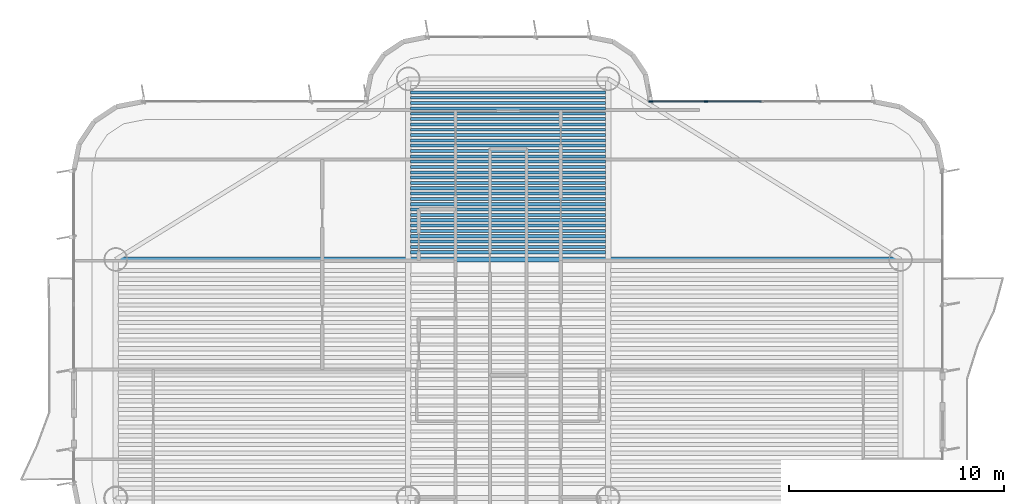
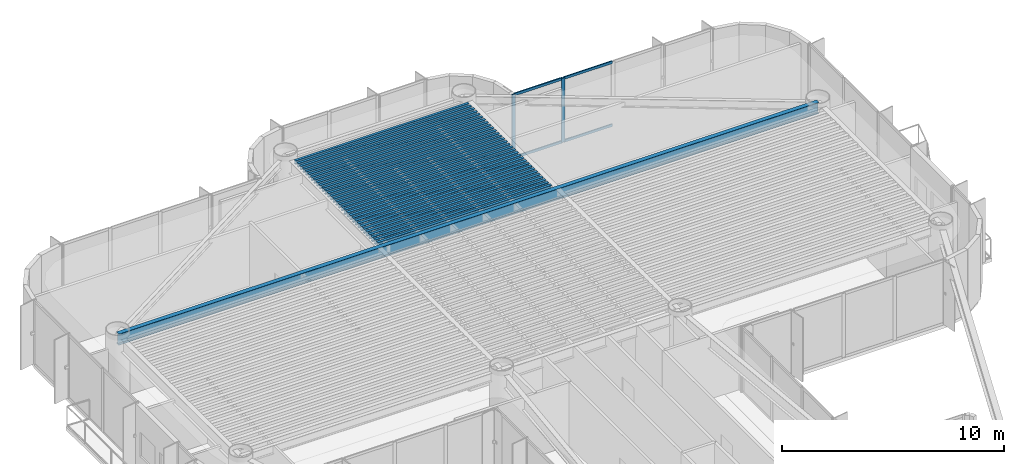
# One storey, part 6 of 14: 32 beams, 6 members, 1 element without a shape of its own.
"""IFC4 building model written with IfcOpenShell, lengths in metres."""

from ifc_helpers import new_model, si_unit, direction, frame, origin, origin_2d, place, context, subcontext, project, spatial, rectangle, i_section, extrude, source, transform, mapped, material, layer, layer_set, material_profile, profile_set, type_object, element, aggregate, save


model = new_model("IFC4")

# Units and contexts
model_context = context("Model", 3, precision=1e-05, world=origin(), true_north=direction((0.0, 1.0)))
body_context = subcontext(model_context, "Body", "Model", "MODEL_VIEW")
ifc_project = project(units=[si_unit("LENGTHUNIT", "METRE"), si_unit("AREAUNIT", "SQUARE_METRE"), si_unit("VOLUMEUNIT", "CUBIC_METRE"), si_unit("PLANEANGLEUNIT", "RADIAN"), si_unit("MASSUNIT", "GRAM", prefix="KILO")], contexts=[model_context])

# Site, building, storey
site_placement = place(None, origin())
site = spatial("IfcSite", under=ifc_project, at=site_placement, CompositionType="ELEMENT")
building_placement = place(site_placement, origin())
building = spatial("IfcBuilding", under=site, at=building_placement, Name="Brelvock Crest Care Tower", CompositionType="ELEMENT")
storey_placement = place(building_placement, frame((0.0, 0.0, 205.56005859375)))
storey = spatial("IfcBuildingStorey", under=building, at=storey_placement, Name="L52", CompositionType="ELEMENT", Elevation=205.56005859375)

# Beams
ifc_material_1 = material(Name="Steel Grade 350", Category="steel")
ifc_material_profile_1 = material_profile(ifc_material_1, i_section(OverallWidth=0.14599609375, OverallDepth=0.256103515625, WebThickness=0.00634765625, FlangeThickness=0.010986328125, FilletRadius=0.0087890625, at=origin_2d()), Name="250UB37.3")
ifc_profile_set_1 = profile_set([ifc_material_profile_1], Name="Steel Grade 350")
beam_type_1 = type_object("IfcBeamType", Name="BM-J3", PredefinedType="JOIST", material=ifc_profile_set_1)
shared_shape_1 = source(origin(), body_context, "Body", "SweptSolid", [
    extrude(i_section(OverallWidth=0.14599609375, OverallDepth=0.256103515625, WebThickness=0.00634765625, FlangeThickness=0.010986328125, FilletRadius=0.0087890625, at=origin_2d()), origin(), (0.0, 0.0, 1.0), 9.06982421875),
])
for number, where, z_axis, x_axis, name in (
    (1, (31.465087890625, 46.385986328125, 3.40185546875), (1.0, 0.0, 0.0), (0.0, 1.0, 0.0), "BM-JN-L52-1"),
    (2, (31.465087890625, 46.6337890625, 3.40185546875), (1.0, 0.0, 0.0), (0.0, 1.0, 0.0), "BM-JN-L52-2"),
    (3, (31.465087890625, 46.881591796875, 3.40185546875), (1.0, 0.0, 0.0), (0.0, 1.0, 0.0), "BM-JN-L52-3"),
    (4, (31.465087890625, 47.12939453125, 3.40185546875), (1.0, 0.0, 0.0), (0.0, 1.0, 0.0), "BM-JN-L52-4"),
    (5, (31.465087890625, 47.377197265625, 3.40185546875), (1.0, 0.0, 0.0), (0.0, 1.0, 0.0), "BM-JN-L52-5"),
    (6, (31.465087890625, 47.625, 3.40185546875), (1.0, 0.0, 0.0), (0.0, 1.0, 0.0), "BM-JN-L52-6"),
    (7, (31.465087890625, 47.872802734375, 3.40185546875), (1.0, 0.0, 0.0), (0.0, 1.0, 0.0), "BM-JN-L52-7"),
    (8, (31.465087890625, 48.12060546875, 3.40185546875), (1.0, 0.0, 0.0), (0.0, 1.0, 0.0), "BM-JN-L52-8"),
    (9, (31.465087890625, 48.368408203125, 3.40185546875), (1.0, 0.0, 0.0), (0.0, 1.0, 0.0), "BM-JN-L52-9"),
    (10, (31.465087890625, 48.6162109375, 3.40185546875), (1.0, 0.0, 0.0), (0.0, 1.0, 0.0), "BM-JN-L52-10"),
    (11, (31.465087890625, 48.864013671875, 3.40185546875), (1.0, 0.0, 0.0), (0.0, 1.0, 0.0), "BM-JN-L52-11"),
    (12, (31.465087890625, 49.11181640625, 3.40185546875), (1.0, 0.0, 0.0), (0.0, 1.0, 0.0), "BM-JN-L52-12"),
    (13, (31.465087890625, 49.359619140625, 3.40185546875), (1.0, 0.0, 0.0), (0.0, 1.0, 0.0), "BM-JN-L52-13"),
):
    element("IfcBeam", number, at=place(storey_placement, frame(where, z_axis=z_axis, x_axis=x_axis)), inside=storey, type_object=beam_type_1, Name=name, PredefinedType="JOIST", context=body_context, shape_type="MappedRepresentation", body=[
        mapped(shared_shape_1, transform((0.0, 0.0, 0.0), x_axis=(1.0, 0.0, 0.0), y_axis=(0.0, 1.0, 0.0), z_axis=(0.0, 0.0, 1.0), scale=1.0)),
    ])
ifc_material_profile_2 = material_profile(ifc_material_1, i_section(OverallWidth=0.134033203125, OverallDepth=0.20703125, WebThickness=0.00634765625, FlangeThickness=0.009521484375, FilletRadius=0.0087890625, at=origin_2d()), Name="200UB29.8")
ifc_profile_set_2 = profile_set([ifc_material_profile_2], Name="Steel Grade 350")
beam_type_2 = type_object("IfcBeamType", Name="BM-J4", PredefinedType="JOIST", material=ifc_profile_set_2)
shared_shape_2 = source(origin(), body_context, "Body", "SweptSolid", [
    extrude(i_section(OverallWidth=0.134033203125, OverallDepth=0.20703125, WebThickness=0.00634765625, FlangeThickness=0.009521484375, FilletRadius=0.0087890625, at=origin_2d()), origin(), (0.0, 0.0, 1.0), 9.06982421875),
])
for number, where, z_axis, x_axis, name in (
    (14, (31.465087890625, 49.607421875, 3.426513671875), (1.0, 0.0, 0.0), (0.0, 1.0, 0.0), "BM-JN-L52-14"),
    (15, (31.465087890625, 49.855224609375, 3.426513671875), (1.0, 0.0, 0.0), (0.0, 1.0, 0.0), "BM-JN-L52-15"),
    (16, (31.465087890625, 50.10302734375, 3.426513671875), (1.0, 0.0, 0.0), (0.0, 1.0, 0.0), "BM-JN-L52-16"),
    (17, (31.465087890625, 50.350830078125, 3.426513671875), (1.0, 0.0, 0.0), (0.0, 1.0, 0.0), "BM-JN-L52-17"),
    (18, (31.465087890625, 50.5986328125, 3.426513671875), (1.0, 0.0, 0.0), (0.0, 1.0, 0.0), "BM-JN-L52-18"),
    (19, (31.465087890625, 50.846435546875, 3.426513671875), (1.0, 0.0, 0.0), (0.0, 1.0, 0.0), "BM-JN-L52-19"),
    (20, (31.465087890625, 51.09423828125, 3.426513671875), (1.0, 0.0, 0.0), (0.0, 1.0, 0.0), "BM-JN-L52-20"),
    (21, (31.465087890625, 51.342041015625, 3.426513671875), (1.0, 0.0, 0.0), (0.0, 1.0, 0.0), "BM-JN-L52-21"),
    (22, (31.465087890625, 51.58984375, 3.426513671875), (1.0, 0.0, 0.0), (0.0, 1.0, 0.0), "BM-JN-L52-22"),
    (23, (31.465087890625, 51.837646484375, 3.426513671875), (1.0, 0.0, 0.0), (0.0, 1.0, 0.0), "BM-JN-L52-23"),
    (24, (31.465087890625, 52.08544921875, 3.426513671875), (1.0, 0.0, 0.0), (0.0, 1.0, 0.0), "BM-JN-L52-24"),
    (25, (31.465087890625, 52.333251953125, 3.426513671875), (1.0, 0.0, 0.0), (0.0, 1.0, 0.0), "BM-JN-L52-25"),
    (26, (31.465087890625, 52.5810546875, 3.426513671875), (1.0, 0.0, 0.0), (0.0, 1.0, 0.0), "BM-JN-L52-26"),
    (27, (31.465087890625, 52.828857421875, 3.426513671875), (1.0, 0.0, 0.0), (0.0, 1.0, 0.0), "BM-JN-L52-27"),
    (28, (31.465087890625, 53.07666015625, 3.426513671875), (1.0, 0.0, 0.0), (0.0, 1.0, 0.0), "BM-JN-L52-28"),
    (29, (31.465087890625, 53.324462890625, 3.426513671875), (1.0, 0.0, 0.0), (0.0, 1.0, 0.0), "BM-JN-L52-29"),
    (30, (31.465087890625, 53.572265625, 3.426513671875), (1.0, 0.0, 0.0), (0.0, 1.0, 0.0), "BM-JN-L52-30"),
    (31, (31.465087890625, 53.820068359375, 3.426513671875), (1.0, 0.0, 0.0), (0.0, 1.0, 0.0), "BM-JN-L52-31"),
):
    element("IfcBeam", number, at=place(storey_placement, frame(where, z_axis=z_axis, x_axis=x_axis)), inside=storey, type_object=beam_type_2, Name=name, PredefinedType="JOIST", context=body_context, shape_type="MappedRepresentation", body=[
        mapped(shared_shape_2, transform((0.0, 0.0, 0.0), x_axis=(1.0, 0.0, 0.0), y_axis=(0.0, 1.0, 0.0), z_axis=(0.0, 0.0, 1.0), scale=1.0)),
    ])
ifc_material_profile_3 = material_profile(ifc_material_1, i_section(OverallWidth=0.22900390625, OverallDepth=0.612060546875, WebThickness=0.011962890625, FlangeThickness=0.01953125, FilletRadius=0.013916015625, at=origin_2d()), Name="610UB125")
ifc_profile_set_3 = profile_set([ifc_material_profile_3], Name="Steel Grade 350")
beam_type_3 = type_object("IfcBeamType", Name="BM-G1", PredefinedType="BEAM", material=ifc_profile_set_3)
shared_shape_3 = source(origin(), body_context, "Body", "SweptSolid", [
    extrude(i_section(OverallWidth=0.22900390625, OverallDepth=0.612060546875, WebThickness=0.011962890625, FlangeThickness=0.01953125, FilletRadius=0.013916015625, at=origin_2d()), origin(), (0.0, 0.0, 1.0), 36.5),
])
beam_placement = place(storey_placement, frame((17.75, 46.050048828125, 3.223876953125), z_axis=(1.0, 0.0, 0.0), x_axis=(0.0, 1.0, 0.0)))
element("IfcBeam", 32, at=beam_placement, inside=storey, type_object=beam_type_3, Name="BM-TWR-L52-11", PredefinedType="BEAM", context=body_context, shape_type="MappedRepresentation", body=[
    mapped(shared_shape_3, transform((0.0, 0.0, 0.0), x_axis=(1.0, 0.0, 0.0), y_axis=(0.0, 1.0, 0.0), z_axis=(0.0, 0.0, 1.0), scale=1.0)),
])

# Curtain wall, members
ifc_material_2 = material(Name="Dark Glass Double Glazed Low-E", Category="glass")
ifc_layer = layer(ifc_material_2, 0.22509765625, Name="CWS-4")
ifc_layer_set = layer_set([ifc_layer], Name="Dark Glass Double Glazed Low-E")
curtain_wall_type = type_object("IfcCurtainWallType", Name="CWS-4", PredefinedType="NOTDEFINED", material=ifc_layer_set)
curtain_wall_placement = place(storey_placement, origin())
curtain_wall = element("IfcCurtainWall", 33, at=curtain_wall_placement, inside=storey, type_object=curtain_wall_type, Name="L52 Curtain Wall E34", PredefinedType="NOTDEFINED")
ifc_material_3 = material(Name="Aluminium 6063-T6", Category="aluminium")
ifc_material_profile_4 = material_profile(ifc_material_3, rectangle(XDim=0.06005859375, YDim=0.179931640625, at=origin_2d()), Name="ALU60x180")
ifc_profile_set_4 = profile_set([ifc_material_profile_4], Name="Aluminium 6063-T6")
member_type_1 = type_object("IfcMemberType", Name="CWM-2", PredefinedType="MULLION", material=ifc_profile_set_4)
shared_shape_4 = source(origin(), body_context, "Body", "SweptSolid", [
    extrude(rectangle(XDim=0.06005859375, YDim=0.179931640625, at=origin_2d()), origin(), (0.0, 0.0, 1.0), 3.530029296875),
])
member_1_placement = place(storey_placement, frame((42.6298828125, 53.39990234375, 0.0), z_axis=(0.0, 0.0, 1.0), x_axis=(0.0, 1.0, 0.0)))
member_1 = element("IfcMember", 34, at=member_1_placement, type_object=member_type_1, Name="CW-4 mullion 1", PredefinedType="MULLION", context=body_context, shape_type="MappedRepresentation", body=[
    mapped(shared_shape_4, transform((0.0, 0.0, 0.0), x_axis=(1.0, 0.0, 0.0), y_axis=(0.0, 1.0, 0.0), z_axis=(0.0, 0.0, 1.0), scale=1.0)),
])
member_2_placement = place(storey_placement, frame((45.199951171875, 53.39990234375, 0.0), z_axis=(0.0, 0.0, 1.0), x_axis=(0.0, 1.0, 0.0)))
member_2 = element("IfcMember", 35, at=member_2_placement, type_object=member_type_1, Name="CW-4 mullion 2", PredefinedType="MULLION", context=body_context, shape_type="MappedRepresentation", body=[
    mapped(shared_shape_4, transform((0.0, 0.0, 0.0), x_axis=(1.0, 0.0, 0.0), y_axis=(0.0, 1.0, 0.0), z_axis=(0.0, 0.0, 1.0), scale=1.0)),
])
ifc_material_profile_5 = material_profile(ifc_material_3, rectangle(XDim=0.06005859375, YDim=0.139892578125, at=origin_2d()), Name="ALU60x140")
ifc_profile_set_5 = profile_set([ifc_material_profile_5], Name="Aluminium 6063-T6")
member_type_2 = type_object("IfcMemberType", Name="CWT-2", PredefinedType="USERDEFINED", material=ifc_profile_set_5)
shared_shape_5 = source(origin(), body_context, "Body", "SweptSolid", [
    extrude(rectangle(XDim=0.06005859375, YDim=0.139892578125, at=origin_2d()), origin(), (0.0, 0.0, 1.0), 2.510009765625),
])
member_3_placement = place(storey_placement, frame((42.659912109375, 53.39990234375, 0.030029296875), z_axis=(1.0, 0.0, 0.0), x_axis=(0.0, 1.0, 0.0)))
member_3 = element("IfcMember", 36, at=member_3_placement, type_object=member_type_2, Name="CW-4 transom 1.1", ObjectType="TRANSOM", PredefinedType="USERDEFINED", context=body_context, shape_type="MappedRepresentation", body=[
    mapped(shared_shape_5, transform((0.0, 0.0, 0.0), x_axis=(1.0, 0.0, 0.0), y_axis=(0.0, 1.0, 0.0), z_axis=(0.0, 0.0, 1.0), scale=1.0)),
])
member_4_placement = place(storey_placement, frame((42.659912109375, 53.39990234375, 3.5), z_axis=(1.0, 0.0, 0.0), x_axis=(0.0, 1.0, 0.0)))
member_4 = element("IfcMember", 37, at=member_4_placement, type_object=member_type_2, Name="CW-4 transom 1.2", ObjectType="TRANSOM", PredefinedType="USERDEFINED", context=body_context, shape_type="MappedRepresentation", body=[
    mapped(shared_shape_5, transform((0.0, 0.0, 0.0), x_axis=(1.0, 0.0, 0.0), y_axis=(0.0, 1.0, 0.0), z_axis=(0.0, 0.0, 1.0), scale=1.0)),
])
shared_shape_6 = source(origin(), body_context, "Body", "SweptSolid", [
    extrude(rectangle(XDim=0.06005859375, YDim=0.139892578125, at=origin_2d()), origin(), (0.0, 0.0, 1.0), 2.5400390625),
])
member_5_placement = place(storey_placement, frame((45.22998046875, 53.39990234375, 0.030029296875), z_axis=(1.0, 0.0, 0.0), x_axis=(0.0, 1.0, 0.0)))
member_5 = element("IfcMember", 38, at=member_5_placement, type_object=member_type_2, Name="CW-4 transom 2.1", ObjectType="TRANSOM", PredefinedType="USERDEFINED", context=body_context, shape_type="MappedRepresentation", body=[
    mapped(shared_shape_6, transform((0.0, 0.0, 0.0), x_axis=(1.0, 0.0, 0.0), y_axis=(0.0, 1.0, 0.0), z_axis=(0.0, 0.0, 1.0), scale=1.0)),
])
member_6_placement = place(storey_placement, frame((45.22998046875, 53.39990234375, 3.5), z_axis=(1.0, 0.0, 0.0), x_axis=(0.0, 1.0, 0.0)))
member_6 = element("IfcMember", 39, at=member_6_placement, type_object=member_type_2, Name="CW-4 transom 2.2", ObjectType="TRANSOM", PredefinedType="USERDEFINED", context=body_context, shape_type="MappedRepresentation", body=[
    mapped(shared_shape_6, transform((0.0, 0.0, 0.0), x_axis=(1.0, 0.0, 0.0), y_axis=(0.0, 1.0, 0.0), z_axis=(0.0, 0.0, 1.0), scale=1.0)),
])
aggregate(curtain_wall, [member_1, member_2, member_3, member_4, member_5, member_6])

save(model, "model.ifc")
